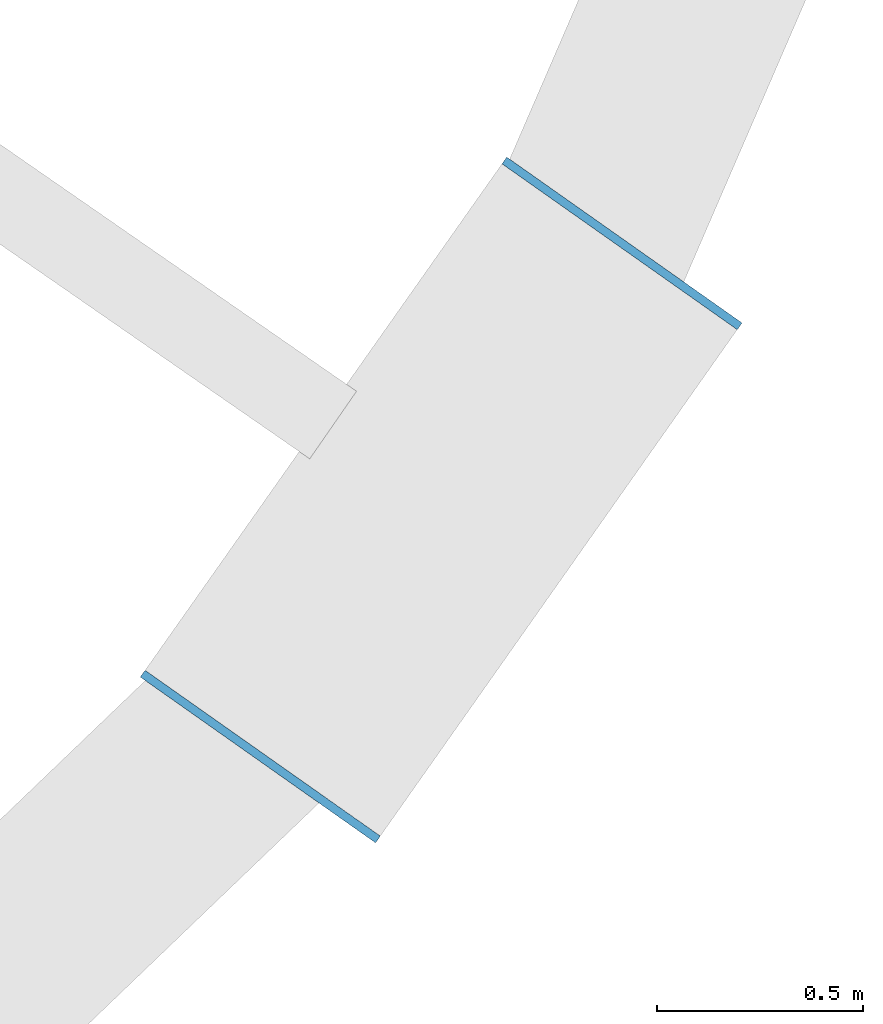
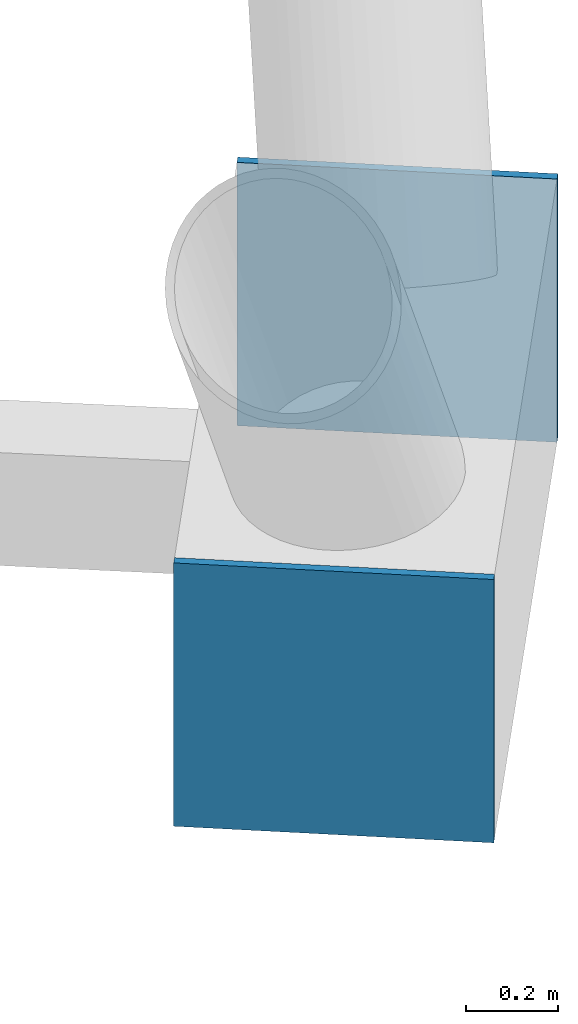
# One storey, part 12 of 22: 2 discrete accessories.
"""IFC4 building model written with IfcOpenShell, lengths in metres."""

from ifc_helpers import new_model, si_unit, direction, frame, origin, origin_2d, place, context, subcontext, project, spatial, rectangle, extrude, material, layer, layer_set, type_object, element, save


model = new_model("IFC4")

# Units and contexts
model_context = context("Model", 3, precision=1e-05, world=origin(), true_north=direction((0.0, 1.0)))
body_context = subcontext(model_context, "Body", "Model", "MODEL_VIEW")
ifc_project = project(units=[si_unit("LENGTHUNIT", "METRE"), si_unit("AREAUNIT", "SQUARE_METRE"), si_unit("VOLUMEUNIT", "CUBIC_METRE"), si_unit("PLANEANGLEUNIT", "RADIAN"), si_unit("MASSUNIT", "GRAM", prefix="KILO")], contexts=[model_context])

# Site, building, storey
site_placement = place(None, origin())
site = spatial("IfcSite", under=ifc_project, at=site_placement, CompositionType="ELEMENT")
building_placement = place(site_placement, origin())
building = spatial("IfcBuilding", under=site, at=building_placement, Name="Siaravel Broadcast Tower", CompositionType="ELEMENT")
storey_placement = place(building_placement, frame((0.0, 0.0, 48.199951171875)))
storey = spatial("IfcBuildingStorey", under=building, at=storey_placement, Name="L10", CompositionType="ELEMENT", Elevation=48.199951171875)

# Discrete accessories
ifc_material = material(Name="Steel S355", Category="steel")
ifc_layer = layer(ifc_material, 0.02001953125)
ifc_layer_set = layer_set([ifc_layer], Name="Steel S355")
discrete_accessory_type = type_object("IfcDiscreteAccessoryType", Name="Steel end plate 20 mm", PredefinedType="USERDEFINED", material=ifc_layer_set)
for number, where, z_axis, x_axis, name in (
    (1, (26.870849609375, -12.36865234375, -0.5498046875), (0.0, 0.0, 1.0), (0.576118513, 0.817366172, 0.0), "End plate R05 station 66A"),
    (2, (25.9912109375, -13.61669921875, -0.5498046875), (0.0, 0.0, 1.0), (0.576118513, 0.817366172, 0.0), "End plate R05 station 66B"),
):
    element("IfcDiscreteAccessory", number, at=place(storey_placement, frame(where, z_axis=z_axis, x_axis=x_axis)), inside=storey, type_object=discrete_accessory_type, Name=name, ObjectType="END PLATE", PredefinedType="USERDEFINED", context=body_context, shape_type="SweptSolid", body=[
        extrude(rectangle(XDim=0.02001953125, YDim=0.699951171875, at=origin_2d()), origin(), (0.0, 0.0, 1.0), 0.699951171875),
    ])

save(model, "model.ifc")
